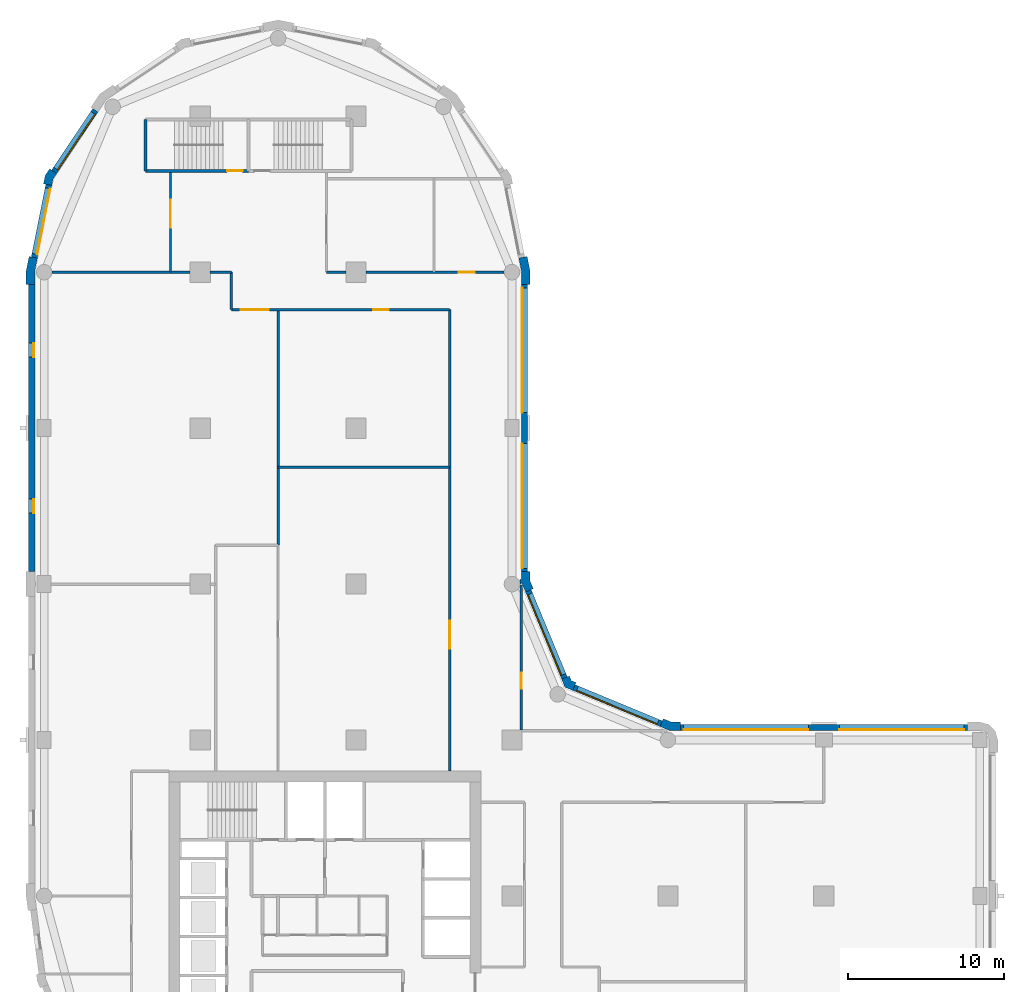
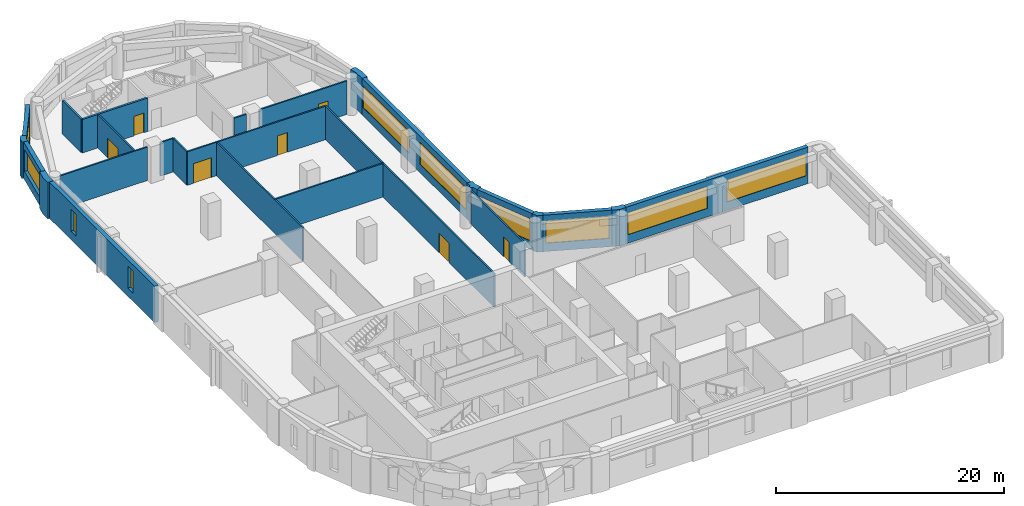
# One storey, part 5 of 9: 26 walls, 10 windows, 7 doors, 17 openings.
"""IFC4 building model written with IfcOpenShell, lengths in metres."""

from ifc_helpers import new_model, si_unit, direction, frame, frame_2d, origin, place, context, subcontext, project, spatial, polyline, rectangle, outline, extrude, material, layer, layer_set, type_object, element, fill, save


model = new_model("IFC4")

# Units and contexts
model_context = context("Model", 3, precision=1e-05, world=origin(), true_north=direction((0.0, 1.0)))
body_context = subcontext(model_context, "Body", "Model", "MODEL_VIEW")
ifc_project = project(units=[si_unit("LENGTHUNIT", "METRE"), si_unit("AREAUNIT", "SQUARE_METRE"), si_unit("VOLUMEUNIT", "CUBIC_METRE"), si_unit("PLANEANGLEUNIT", "RADIAN"), si_unit("MASSUNIT", "GRAM", prefix="KILO")], contexts=[model_context])

# Site, building, storey
site_placement = place(None, origin())
site = spatial("IfcSite", under=ifc_project, at=site_placement, CompositionType="ELEMENT")
building_placement = place(site_placement, origin())
building = spatial("IfcBuilding", under=site, at=building_placement, Name="Qaws Garden Tower", CompositionType="ELEMENT")
storey_placement = place(building_placement, frame((0.0, 0.0, 135.60009765625)))
storey = spatial("IfcBuildingStorey", under=building, at=storey_placement, Name="L32", CompositionType="ELEMENT", Elevation=135.60009765625)

# Wall, openings, windows
ifc_material_1 = material(Name="Clay facing brick masonry", Category="masonry")
ifc_layer_1 = layer(ifc_material_1, 0.39990234375)
ifc_layer_set_1 = layer_set([ifc_layer_1], Name="Clay facing brick masonry")
wall_type_1 = type_object("IfcWallType", Name="Brick infill wall 400", PredefinedType="SOLIDWALL", material=ifc_layer_set_1)
wall_1_placement = place(storey_placement, frame((59.199951171875, 30.800048828125, 0.0), z_axis=(0.0, 0.0, 1.0), x_axis=(-1.0, 0.0, 0.0)))
wall_1 = element("IfcWall", 1, at=wall_1_placement, inside=storey, type_object=wall_type_1, Name="E-L32-infill-07", PredefinedType="SOLIDWALL", context=body_context, shape_type="SweptSolid", body=[
    extrude(rectangle(XDim=18.39990234375, YDim=0.39990234375, at=frame_2d((9.199951171875, 0.0))), origin(), (0.0, 0.0, 1.0), 3.89990234375),
])
opening_1_placement = place(wall_1_placement, frame((0.199951171875, 0.0, 0.89990234375)))
opening_1 = element("IfcOpeningElement", 2, at=opening_1_placement, cuts=wall_1, Name="Opening W01", PredefinedType="OPENING", context=body_context, shape_type="SweptSolid", body=[
    extrude(rectangle(XDim=8.0, YDim=2.35009765625, at=frame_2d((4.0, 1.175048828125))), frame((0.0, 0.2099609375, 0.0), z_axis=(0.0, -1.0, 0.0), x_axis=(1.0, 0.0, 0.0)), (0.0, 0.0, 1.0), 0.419921875),
])
opening_2_placement = place(wall_1_placement, frame((10.199951171875, 0.0, 0.89990234375)))
opening_2 = element("IfcOpeningElement", 3, at=opening_2_placement, cuts=wall_1, Name="Opening W01", PredefinedType="OPENING", context=body_context, shape_type="SweptSolid", body=[
    extrude(rectangle(XDim=8.0, YDim=2.35009765625, at=frame_2d((4.0, 1.175048828125))), frame((0.0, 0.2099609375, 0.0), z_axis=(0.0, -1.0, 0.0), x_axis=(1.0, 0.0, 0.0)), (0.0, 0.0, 1.0), 0.419921875),
])
ifc_material_2 = material(Name="Aluminium framed window, clear glazing", Category="aluminium")
window_type_1 = type_object("IfcWindowType", Name="Ribbon window 8000 x 2350", PartitioningType="DOUBLE_PANEL_VERTICAL", PredefinedType="WINDOW", material=ifc_material_2)
window_1_placement = place(opening_1_placement, origin())
window_1 = element("IfcWindow", 4, at=window_1_placement, inside=storey, type_object=window_type_1, Name="E-L32-window-07-0", OverallHeight=2.35009765625, OverallWidth=8.0, PartitioningType="SINGLE_PANEL", PredefinedType="WINDOW", context=body_context, shape_type="SweptSolid", body=[
    extrude(rectangle(XDim=8.0, YDim=2.35009765625, at=frame_2d((4.0, 1.175048828125))), frame((0.0, 0.159912109375, 0.0), z_axis=(0.0, -1.0, 0.0), x_axis=(1.0, 0.0, 0.0)), (0.0, 0.0, 1.0), 0.06005859375),
])
fill(opening_1, window_1)
window_2_placement = place(opening_2_placement, origin())
window_2 = element("IfcWindow", 5, at=window_2_placement, inside=storey, type_object=window_type_1, Name="E-L32-window-08-0", OverallHeight=2.35009765625, OverallWidth=8.0, PartitioningType="SINGLE_PANEL", PredefinedType="WINDOW", context=body_context, shape_type="SweptSolid", body=[
    extrude(rectangle(XDim=8.0, YDim=2.35009765625, at=frame_2d((4.0, 1.175048828125))), frame((0.0, 0.159912109375, 0.0), z_axis=(0.0, -1.0, 0.0), x_axis=(1.0, 0.0, 0.0)), (0.0, 0.0, 1.0), 0.06005859375),
])
fill(opening_2, window_2)

# Wall, opening, window
wall_2_placement = place(storey_placement, frame((39.56689453125, 31.04541015625, 0.0), z_axis=(0.0, 0.0, 1.0), x_axis=(-0.923891000409, 0.382655745237, 0.0)))
wall_2 = element("IfcWall", 6, at=wall_2_placement, inside=storey, type_object=wall_type_1, Name="E-L32-infill-09", PredefinedType="SOLIDWALL", context=body_context, shape_type="SweptSolid", body=[
    extrude(rectangle(XDim=6.053466796875, YDim=0.39990234375, at=frame_2d((3.02685546875, 0.0))), origin(), (0.0, 0.0, 1.0), 3.89990234375),
])
opening_3_placement = place(wall_2_placement, frame((0.226806640625, 0.0, 0.89990234375)))
opening_3 = element("IfcOpeningElement", 7, at=opening_3_placement, cuts=wall_2, Name="Opening W04", PredefinedType="OPENING", context=body_context, shape_type="SweptSolid", body=[
    extrude(rectangle(XDim=5.60009765625, YDim=2.35009765625, at=frame_2d((2.800048828125, 1.175048828125))), frame((0.0, 0.2099609375, 0.0), z_axis=(0.0, -1.0, 0.0), x_axis=(1.0, 0.0, 0.0)), (0.0, 0.0, 1.0), 0.419921875),
])
ifc_material_3 = material(Name="Aluminium framed window, clear glazing", Category="aluminium")
window_type_2 = type_object("IfcWindowType", Name="Ribbon window 5600 x 2350", PartitioningType="DOUBLE_PANEL_VERTICAL", PredefinedType="WINDOW", material=ifc_material_3)
window_3_placement = place(opening_3_placement, origin())
window_3 = element("IfcWindow", 8, at=window_3_placement, inside=storey, type_object=window_type_2, Name="E-L32-window-09-0", OverallHeight=2.35009765625, OverallWidth=5.60009765625, PartitioningType="SINGLE_PANEL", PredefinedType="WINDOW", context=body_context, shape_type="SweptSolid", body=[
    extrude(rectangle(XDim=5.60009765625, YDim=2.35009765625, at=frame_2d((2.800048828125, 1.175048828125))), frame((0.0, 0.159912109375, 0.0), z_axis=(0.0, -1.0, 0.0), x_axis=(1.0, 0.0, 0.0)), (0.0, 0.0, 1.0), 0.06005859375),
])
fill(opening_3, window_3)

wall_3_placement = place(storey_placement, frame((33.36181640625, 33.97412109375, 0.0), z_axis=(0.0, 0.0, 1.0), x_axis=(-0.382655745237, 0.923891000409, 0.0)))
wall_3 = element("IfcWall", 9, at=wall_3_placement, inside=storey, type_object=wall_type_1, Name="E-L32-infill-10", PredefinedType="SOLIDWALL", context=body_context, shape_type="SweptSolid", body=[
    extrude(rectangle(XDim=6.053466796875, YDim=0.39990234375, at=frame_2d((3.02685546875, 0.0))), origin(), (0.0, 0.0, 1.0), 3.89990234375),
])
opening_4_placement = place(wall_3_placement, frame((0.226806640625, 0.0, 0.89990234375)))
opening_4 = element("IfcOpeningElement", 10, at=opening_4_placement, cuts=wall_3, Name="Opening W04", PredefinedType="OPENING", context=body_context, shape_type="SweptSolid", body=[
    extrude(rectangle(XDim=5.60009765625, YDim=2.35009765625, at=frame_2d((2.800048828125, 1.175048828125))), frame((0.0, 0.2099609375, 0.0), z_axis=(0.0, -1.0, 0.0), x_axis=(1.0, 0.0, 0.0)), (0.0, 0.0, 1.0), 0.419921875),
])
window_4_placement = place(opening_4_placement, origin())
window_4 = element("IfcWindow", 11, at=window_4_placement, inside=storey, type_object=window_type_2, Name="E-L32-window-10-0", OverallHeight=2.35009765625, OverallWidth=5.60009765625, PartitioningType="SINGLE_PANEL", PredefinedType="WINDOW", context=body_context, shape_type="SweptSolid", body=[
    extrude(rectangle(XDim=5.60009765625, YDim=2.35009765625, at=frame_2d((2.800048828125, 1.175048828125))), frame((0.0, 0.159912109375, 0.0), z_axis=(0.0, -1.0, 0.0), x_axis=(1.0, 0.0, 0.0)), (0.0, 0.0, 1.0), 0.06005859375),
])
fill(opening_4, window_4)

# Wall, openings, windows
wall_4_placement = place(storey_placement, frame((30.800048828125, 40.800048828125, 0.0), z_axis=(0.0, 0.0, 1.0), x_axis=(0.0, 1.0, 0.0)))
wall_4 = element("IfcWall", 12, at=wall_4_placement, inside=storey, type_object=wall_type_1, Name="E-L32-infill-11", PredefinedType="SOLIDWALL", context=body_context, shape_type="SweptSolid", body=[
    extrude(rectangle(XDim=18.39990234375, YDim=0.39990234375, at=frame_2d((9.199951171875, 0.0))), origin(), (0.0, 0.0, 1.0), 3.89990234375),
])
opening_5_placement = place(wall_4_placement, frame((0.199951171875, 0.0, 0.89990234375)))
opening_5 = element("IfcOpeningElement", 13, at=opening_5_placement, cuts=wall_4, Name="Opening W01", PredefinedType="OPENING", context=body_context, shape_type="SweptSolid", body=[
    extrude(rectangle(XDim=8.0, YDim=2.35009765625, at=frame_2d((4.0, 1.175048828125))), frame((0.0, 0.2099609375, 0.0), z_axis=(0.0, -1.0, 0.0), x_axis=(1.0, 0.0, 0.0)), (0.0, 0.0, 1.0), 0.419921875),
])
opening_6_placement = place(wall_4_placement, frame((10.199951171875, 0.0, 0.89990234375)))
opening_6 = element("IfcOpeningElement", 14, at=opening_6_placement, cuts=wall_4, Name="Opening W01", PredefinedType="OPENING", context=body_context, shape_type="SweptSolid", body=[
    extrude(rectangle(XDim=8.0, YDim=2.35009765625, at=frame_2d((4.0, 1.175048828125))), frame((0.0, 0.2099609375, 0.0), z_axis=(0.0, -1.0, 0.0), x_axis=(1.0, 0.0, 0.0)), (0.0, 0.0, 1.0), 0.419921875),
])
window_5_placement = place(opening_5_placement, origin())
window_5 = element("IfcWindow", 15, at=window_5_placement, inside=storey, type_object=window_type_1, Name="E-L32-window-11-0", OverallHeight=2.35009765625, OverallWidth=8.0, PartitioningType="SINGLE_PANEL", PredefinedType="WINDOW", context=body_context, shape_type="SweptSolid", body=[
    extrude(rectangle(XDim=8.0, YDim=2.35009765625, at=frame_2d((4.0, 1.175048828125))), frame((0.0, 0.159912109375, 0.0), z_axis=(0.0, -1.0, 0.0), x_axis=(1.0, 0.0, 0.0)), (0.0, 0.0, 1.0), 0.06005859375),
])
fill(opening_5, window_5)
window_6_placement = place(opening_6_placement, origin())
window_6 = element("IfcWindow", 16, at=window_6_placement, inside=storey, type_object=window_type_1, Name="E-L32-window-12-0", OverallHeight=2.35009765625, OverallWidth=8.0, PartitioningType="SINGLE_PANEL", PredefinedType="WINDOW", context=body_context, shape_type="SweptSolid", body=[
    extrude(rectangle(XDim=8.0, YDim=2.35009765625, at=frame_2d((4.0, 1.175048828125))), frame((0.0, 0.159912109375, 0.0), z_axis=(0.0, -1.0, 0.0), x_axis=(1.0, 0.0, 0.0)), (0.0, 0.0, 1.0), 0.06005859375),
])
fill(opening_6, window_6)

# Wall, opening, window
wall_5_placement = place(storey_placement, frame((3.28369140625, 70.385986328125, 0.0), z_axis=(0.0, 0.0, 1.0), x_axis=(-0.555541552266, -0.831488775454, 0.0)))
wall_5 = element("IfcWall", 17, at=wall_5_placement, inside=storey, type_object=wall_type_1, Name="E-L32-infill-19", PredefinedType="SOLIDWALL", context=body_context, shape_type="SweptSolid", body=[
    extrude(rectangle(XDim=4.752685546875, YDim=0.39990234375, at=frame_2d((2.37646484375, 0.0))), origin(), (0.0, 0.0, 1.0), 3.89990234375),
])
opening_7_placement = place(wall_5_placement, frame((0.226318359375, 0.0, 0.89990234375)))
opening_7 = element("IfcOpeningElement", 18, at=opening_7_placement, cuts=wall_5, Name="Opening W06", PredefinedType="OPENING", context=body_context, shape_type="SweptSolid", body=[
    extrude(rectangle(XDim=4.300048828125, YDim=2.35009765625, at=frame_2d((2.14990234375, 1.175048828125))), frame((0.0, 0.2099609375, 0.0), z_axis=(0.0, -1.0, 0.0), x_axis=(1.0, 0.0, 0.0)), (0.0, 0.0, 1.0), 0.419921875),
])
ifc_material_4 = material(Name="Aluminium framed window, clear glazing", Category="aluminium")
window_type_3 = type_object("IfcWindowType", Name="Ribbon window 4300 x 2350", PartitioningType="DOUBLE_PANEL_VERTICAL", PredefinedType="WINDOW", material=ifc_material_4)
window_7_placement = place(opening_7_placement, origin())
window_7 = element("IfcWindow", 19, at=window_7_placement, inside=storey, type_object=window_type_3, Name="E-L32-window-19-0", OverallHeight=2.35009765625, OverallWidth=4.300048828125, PartitioningType="SINGLE_PANEL", PredefinedType="WINDOW", context=body_context, shape_type="SweptSolid", body=[
    extrude(rectangle(XDim=4.300048828125, YDim=2.35009765625, at=frame_2d((2.14990234375, 1.175048828125))), frame((0.0, 0.159912109375, 0.0), z_axis=(0.0, -1.0, 0.0), x_axis=(1.0, 0.0, 0.0)), (0.0, 0.0, 1.0), 0.06005859375),
])
fill(opening_7, window_7)

wall_6_placement = place(storey_placement, frame((0.298583984375, 65.60205078125, 0.0), z_axis=(0.0, 0.0, 1.0), x_axis=(-0.195098533057, -0.98078364709, 0.0)))
wall_6 = element("IfcWall", 20, at=wall_6_placement, inside=storey, type_object=wall_type_1, Name="E-L32-infill-20", PredefinedType="SOLIDWALL", context=body_context, shape_type="SweptSolid", body=[
    extrude(rectangle(XDim=4.752685546875, YDim=0.39990234375, at=frame_2d((2.37646484375, 0.0))), origin(), (0.0, 0.0, 1.0), 3.89990234375),
])
opening_8_placement = place(wall_6_placement, frame((0.226318359375, 0.0, 0.89990234375)))
opening_8 = element("IfcOpeningElement", 21, at=opening_8_placement, cuts=wall_6, Name="Opening W06", PredefinedType="OPENING", context=body_context, shape_type="SweptSolid", body=[
    extrude(rectangle(XDim=4.300048828125, YDim=2.35009765625, at=frame_2d((2.14990234375, 1.175048828125))), frame((0.0, 0.2099609375, 0.0), z_axis=(0.0, -1.0, 0.0), x_axis=(1.0, 0.0, 0.0)), (0.0, 0.0, 1.0), 0.419921875),
])
window_8_placement = place(opening_8_placement, origin())
window_8 = element("IfcWindow", 22, at=window_8_placement, inside=storey, type_object=window_type_3, Name="E-L32-window-20-0", OverallHeight=2.35009765625, OverallWidth=4.300048828125, PartitioningType="SINGLE_PANEL", PredefinedType="WINDOW", context=body_context, shape_type="SweptSolid", body=[
    extrude(rectangle(XDim=4.300048828125, YDim=2.35009765625, at=frame_2d((2.14990234375, 1.175048828125))), frame((0.0, 0.159912109375, 0.0), z_axis=(0.0, -1.0, 0.0), x_axis=(1.0, 0.0, 0.0)), (0.0, 0.0, 1.0), 0.06005859375),
])
fill(opening_8, window_8)

# Wall, openings, windows
wall_7_placement = place(storey_placement, frame((-0.800048828125, 59.199951171875, 0.0), z_axis=(0.0, 0.0, 1.0), x_axis=(0.0, -1.0, 0.0)))
wall_7 = element("IfcWall", 23, at=wall_7_placement, inside=storey, type_object=wall_type_1, Name="E-L32-infill-21", PredefinedType="SOLIDWALL", context=body_context, shape_type="SweptSolid", body=[
    extrude(rectangle(XDim=18.39990234375, YDim=0.39990234375, at=frame_2d((9.199951171875, 0.0))), origin(), (0.0, 0.0, 1.0), 3.89990234375),
])
opening_9_placement = place(wall_7_placement, frame((3.75, 0.0, 0.89990234375)))
opening_9 = element("IfcOpeningElement", 24, at=opening_9_placement, cuts=wall_7, Name="Opening W09", PredefinedType="OPENING", context=body_context, shape_type="SweptSolid", body=[
    extrude(rectangle(XDim=0.89990234375, YDim=2.35009765625, at=frame_2d((0.449951171875, 1.175048828125))), frame((0.0, 0.2099609375, 0.0), z_axis=(0.0, -1.0, 0.0), x_axis=(1.0, 0.0, 0.0)), (0.0, 0.0, 1.0), 0.419921875),
])
opening_10_placement = place(wall_7_placement, frame((13.75, 0.0, 0.89990234375)))
opening_10 = element("IfcOpeningElement", 25, at=opening_10_placement, cuts=wall_7, Name="Opening W09", PredefinedType="OPENING", context=body_context, shape_type="SweptSolid", body=[
    extrude(rectangle(XDim=0.89990234375, YDim=2.35009765625, at=frame_2d((0.449951171875, 1.175048828125))), frame((0.0, 0.2099609375, 0.0), z_axis=(0.0, -1.0, 0.0), x_axis=(1.0, 0.0, 0.0)), (0.0, 0.0, 1.0), 0.419921875),
])
ifc_material_5 = material(Name="Aluminium framed window, clear glazing", Category="aluminium")
window_type_4 = type_object("IfcWindowType", Name="Slit window 900 x 2350", PartitioningType="SINGLE_PANEL", PredefinedType="WINDOW", material=ifc_material_5)
window_9_placement = place(opening_9_placement, origin())
window_9 = element("IfcWindow", 26, at=window_9_placement, inside=storey, type_object=window_type_4, Name="E-L32-window-21-0", OverallHeight=2.35009765625, OverallWidth=0.89990234375, PartitioningType="SINGLE_PANEL", PredefinedType="WINDOW", context=body_context, shape_type="SweptSolid", body=[
    extrude(rectangle(XDim=0.89990234375, YDim=2.35009765625, at=frame_2d((0.449951171875, 1.175048828125))), frame((0.0, 0.159912109375, 0.0), z_axis=(0.0, -1.0, 0.0), x_axis=(1.0, 0.0, 0.0)), (0.0, 0.0, 1.0), 0.06005859375),
])
fill(opening_9, window_9)
window_10_placement = place(opening_10_placement, origin())
window_10 = element("IfcWindow", 27, at=window_10_placement, inside=storey, type_object=window_type_4, Name="E-L32-window-22-0", OverallHeight=2.35009765625, OverallWidth=0.89990234375, PartitioningType="SINGLE_PANEL", PredefinedType="WINDOW", context=body_context, shape_type="SweptSolid", body=[
    extrude(rectangle(XDim=0.89990234375, YDim=2.35009765625, at=frame_2d((0.449951171875, 1.175048828125))), frame((0.0, 0.159912109375, 0.0), z_axis=(0.0, -1.0, 0.0), x_axis=(1.0, 0.0, 0.0)), (0.0, 0.0, 1.0), 0.06005859375),
])
fill(opening_10, window_10)

# Walls
ifc_material_6 = material(Name="Clay facing brick masonry", Category="masonry")
ifc_layer_2 = layer(ifc_material_6, 0.550048828125)
ifc_layer_set_2 = layer_set([ifc_layer_2], Name="Clay facing brick masonry")
wall_type_2 = type_object("IfcWallType", Name="Brick kink pier 550 x 600", PredefinedType="SOLIDWALL", material=ifc_layer_set_2)
placement = place(storey_placement, origin())
element("IfcWall", 28, at=placement, inside=storey, type_object=wall_type_2, Name="E-L32-pier-20", PredefinedType="SOLIDWALL", context=body_context, shape_type="SweptSolid", body=[
    extrude(outline(polyline([(0.47705078125, 66.545166015625), (0.352294921875, 66.628662109375), (0.05859375, 66.18896484375), (-0.044677734375, 65.67041015625), (0.1025390625, 65.64111328125), (0.494873046875, 65.56298828125), (0.57666015625, 65.974365234375), (0.8095703125, 66.322998046875), (0.47705078125, 66.545166015625)])), origin(), (0.0, 0.0, 1.0), 3.89990234375),
])
ifc_material_7 = material(Name="Clay facing brick masonry", Category="masonry")
ifc_layer_3 = layer(ifc_material_7, 0.550048828125)
ifc_layer_set_3 = layer_set([ifc_layer_3], Name="Clay facing brick masonry")
wall_type_3 = type_object("IfcWallType", Name="Brick pier 550 x 1600", PredefinedType="SOLIDWALL", material=ifc_layer_set_3)
element("IfcWall", 29, at=placement, inside=storey, type_object=wall_type_3, Name="E-L32-pier-09", PredefinedType="SOLIDWALL", context=body_context, shape_type="SweptSolid", body=[
    extrude(outline(polyline([(40.800048828125, 31.0), (40.800048828125, 31.14990234375), (40.228759765625, 31.14990234375), (39.700927734375, 31.36865234375), (39.6435546875, 31.22998046875), (39.490478515625, 30.860595703125), (40.119384765625, 30.60009765625), (40.800048828125, 30.60009765625), (40.800048828125, 31.0)])), origin(), (0.0, 0.0, 1.0), 3.89990234375),
])
element("IfcWall", 30, at=placement, inside=storey, type_object=wall_type_3, Name="E-L32-pier-10", PredefinedType="SOLIDWALL", context=body_context, shape_type="SweptSolid", body=[
    extrude(outline(polyline([(34.05078125, 33.546630859375), (34.108154296875, 33.685302734375), (33.80908203125, 33.80908203125), (33.685302734375, 34.108154296875), (33.546630859375, 34.05078125), (33.177001953125, 33.897705078125), (33.38818359375, 33.38818359375), (33.897705078125, 33.177001953125), (34.05078125, 33.546630859375)])), origin(), (0.0, 0.0, 1.0), 3.89990234375),
])
element("IfcWall", 31, at=placement, inside=storey, type_object=wall_type_3, Name="E-L32-pier-11", PredefinedType="SOLIDWALL", context=body_context, shape_type="SweptSolid", body=[
    extrude(outline(polyline([(30.6201171875, 39.995361328125), (30.6201171875, 40.071044921875), (30.860595703125, 39.490478515625), (31.22998046875, 39.6435546875), (31.36865234375, 39.700927734375), (31.14990234375, 40.228759765625), (31.14990234375, 40.800048828125), (31.0, 40.800048828125), (30.60009765625, 40.800048828125), (30.60009765625, 40.29541015625), (30.5, 40.29541015625), (30.5, 39.995361328125), (30.6201171875, 39.995361328125)])), origin(), (0.0, 0.0, 1.0), 3.89990234375),
])
element("IfcWall", 32, at=placement, inside=storey, type_object=wall_type_3, Name="E-L32-pier-13", PredefinedType="SOLIDWALL", context=body_context, shape_type="SweptSolid", body=[
    extrude(outline(polyline([(31.0, 59.199951171875), (31.14990234375, 59.199951171875), (31.14990234375, 60.11328125), (30.971923828125, 61.009033203125), (30.82470703125, 60.979736328125), (30.432373046875, 60.901611328125), (30.60009765625, 60.05908203125), (30.60009765625, 59.199951171875), (31.0, 59.199951171875)])), origin(), (0.0, 0.0, 1.0), 3.89990234375),
])
element("IfcWall", 33, at=placement, inside=storey, type_object=wall_type_3, Name="E-L32-pier-21", PredefinedType="SOLIDWALL", context=body_context, shape_type="SweptSolid", body=[
    extrude(outline(polyline([(-0.82470703125, 60.979736328125), (-0.971923828125, 61.009033203125), (-1.14990234375, 60.11328125), (-1.14990234375, 59.199951171875), (-1.0, 59.199951171875), (-0.60009765625, 59.199951171875), (-0.60009765625, 60.05908203125), (-0.432373046875, 60.901611328125), (-0.82470703125, 60.979736328125)])), origin(), (0.0, 0.0, 1.0), 3.89990234375),
])

# Wall, opening, door
ifc_material_8 = material(Name="Concrete C70", Category="concrete")
ifc_layer_4 = layer(ifc_material_8, 0.199951171875)
ifc_layer_set_4 = layer_set([ifc_layer_4], Name="Concrete C70")
wall_type_4 = type_object("IfcWallType", Name="Core shaft wall 200 C70", PredefinedType="SHEAR", material=ifc_layer_set_4)
wall_14_placement = place(storey_placement, frame((6.5, 66.5, 0.0), z_axis=(0.0, 0.0, 1.0), x_axis=(1.0, 0.0, 0.0)))
wall_14 = element("IfcWall", 34, at=wall_14_placement, inside=storey, type_object=wall_type_4, Name="Shaft wall", PredefinedType="SHEAR", context=body_context, shape_type="SweptSolid", body=[
    extrude(rectangle(XDim=6.60009765625, YDim=0.199951171875, at=frame_2d((3.300048828125, 0.0))), origin(), (0.0, 0.0, 1.0), 3.579833984375),
])
opening_11_placement = place(wall_14_placement, frame((5.22509765625, 0.0, 0.0)))
opening_11 = element("IfcOpeningElement", 35, at=opening_11_placement, cuts=wall_14, Name="Opening SD13", PredefinedType="OPENING", context=body_context, shape_type="SweptSolid", body=[
    extrude(rectangle(XDim=1.0, YDim=2.10009765625, at=frame_2d((0.5, 1.050048828125))), frame((0.0, 0.10986328125, 0.0), z_axis=(0.0, -1.0, 0.0), x_axis=(1.0, 0.0, 0.0)), (0.0, 0.0, 1.0), 0.219970703125),
])
ifc_material_9 = material(Name="Steel S235", Category="steel")
door_type_1 = type_object("IfcDoorType", Name="Stair door 1000x2100", OperationType="SINGLE_SWING_RIGHT", PredefinedType="DOOR", material=ifc_material_9)
door_1_placement = place(opening_11_placement, origin())
door_1 = element("IfcDoor", 36, at=door_1_placement, inside=storey, type_object=door_type_1, Name="Stair 6 door", OperationType="SINGLE_SWING_RIGHT", OverallHeight=2.10009765625, OverallWidth=1.0, PredefinedType="DOOR", context=body_context, shape_type="SweptSolid", body=[
    extrude(rectangle(XDim=1.0, YDim=2.10009765625, at=frame_2d((0.5, 1.050048828125))), frame((0.0, 0.02490234375, 0.0), z_axis=(0.0, -1.0, 0.0), x_axis=(1.0, 0.0, 0.0)), (0.0, 0.0, 1.0), 0.050048828125),
])
fill(opening_11, door_1)

# Wall
wall_15_placement = place(storey_placement, frame((6.5, 66.5, 0.0), z_axis=(0.0, 0.0, 1.0), x_axis=(0.0, 1.0, 0.0)))
element("IfcWall", 37, at=wall_15_placement, inside=storey, type_object=wall_type_4, Name="Shaft wall", PredefinedType="SHEAR", context=body_context, shape_type="SweptSolid", body=[
    extrude(rectangle(XDim=3.300048828125, YDim=0.199951171875, at=frame_2d((1.64990234375, 0.0))), origin(), (0.0, 0.0, 1.0), 3.579833984375),
])

# Wall, opening, door
ifc_material_10 = material(Name="Gypsum board partition")
ifc_layer_5 = layer(ifc_material_10, 0.14990234375)
ifc_layer_set_5 = layer_set([ifc_layer_5], Name="Gypsum board partition")
wall_type_5 = type_object("IfcWallType", Name="PARTITION 150 EI 60", PredefinedType="PARTITIONING", material=ifc_layer_set_5)
wall_16_placement = place(storey_placement, frame((8.10009765625, 60.0, 0.0), z_axis=(0.0, 0.0, 1.0), x_axis=(0.0, 1.0, 0.0)))
wall_16 = element("IfcWall", 38, at=wall_16_placement, inside=storey, type_object=wall_type_5, Name="O-L32-wall-005", PredefinedType="PARTITIONING", context=body_context, shape_type="SweptSolid", body=[
    extrude(rectangle(XDim=6.39990234375, YDim=0.14990234375, at=frame_2d((3.199951171875, 0.0))), origin(), (0.0, 0.0, 1.0), 3.579833984375),
])
opening_12_placement = place(wall_16_placement, frame((2.85009765625, 0.0, 0.0)))
opening_12 = element("IfcOpeningElement", 39, at=opening_12_placement, cuts=wall_16, Name="Opening B107", PredefinedType="OPENING", context=body_context, shape_type="SweptSolid", body=[
    extrude(rectangle(XDim=1.800048828125, YDim=2.10009765625, at=frame_2d((0.89990234375, 1.050048828125))), frame((0.0, 0.0849609375, 0.0), z_axis=(0.0, -1.0, 0.0), x_axis=(1.0, 0.0, 0.0)), (0.0, 0.0, 1.0), 0.169921875),
])
ifc_material_11 = material(Name="Timber door leaf", Category="wood")
door_type_2 = type_object("IfcDoorType", Name="DOUBLE DOOR 1800 X 2100", OperationType="DOUBLE_DOOR_SINGLE_SWING", PredefinedType="DOOR", material=ifc_material_11)
door_2_placement = place(opening_12_placement, origin())
door_2 = element("IfcDoor", 40, at=door_2_placement, inside=storey, type_object=door_type_2, Name="O-L32-door-007", OperationType="DOUBLE_DOOR_SINGLE_SWING", OverallHeight=2.10009765625, OverallWidth=1.800048828125, PredefinedType="DOOR", context=body_context, shape_type="SweptSolid", body=[
    extrude(rectangle(XDim=1.800048828125, YDim=2.10009765625, at=frame_2d((0.89990234375, 1.050048828125))), frame((0.0, 0.02490234375, 0.0), z_axis=(0.0, -1.0, 0.0), x_axis=(1.0, 0.0, 0.0)), (0.0, 0.0, 1.0), 0.050048828125),
])
fill(opening_12, door_2)

# Walls
wall_17_placement = place(storey_placement, frame((12.0, 57.60009765625, 0.0), z_axis=(0.0, 0.0, 1.0), x_axis=(0.0, 1.0, 0.0)))
element("IfcWall", 41, at=wall_17_placement, inside=storey, type_object=wall_type_5, Name="O-L32-wall-007", PredefinedType="PARTITIONING", context=body_context, shape_type="SweptSolid", body=[
    extrude(rectangle(XDim=2.39990234375, YDim=0.14990234375, at=frame_2d((1.199951171875, 0.0))), origin(), (0.0, 0.0, 1.0), 3.579833984375),
])
wall_18_placement = place(storey_placement, frame((15.0, 42.5, 0.0), z_axis=(0.0, 0.0, 1.0), x_axis=(0.0, 1.0, 0.0)))
element("IfcWall", 42, at=wall_18_placement, inside=storey, type_object=wall_type_5, Name="O-L32-wall-009", PredefinedType="PARTITIONING", context=body_context, shape_type="SweptSolid", body=[
    extrude(rectangle(XDim=15.10009765625, YDim=0.14990234375, at=frame_2d((7.550048828125, 0.0))), origin(), (0.0, 0.0, 1.0), 3.579833984375),
])

# Wall, opening, door
wall_19_placement = place(storey_placement, frame((26.0, 28.0, 0.0), z_axis=(0.0, 0.0, 1.0), x_axis=(0.0, 1.0, 0.0)))
wall_19 = element("IfcWall", 43, at=wall_19_placement, inside=storey, type_object=wall_type_5, Name="O-L32-wall-013", PredefinedType="PARTITIONING", context=body_context, shape_type="SweptSolid", body=[
    extrude(rectangle(XDim=29.60009765625, YDim=0.14990234375, at=frame_2d((14.800048828125, 0.0))), origin(), (0.0, 0.0, 1.0), 3.579833984375),
])
opening_13_placement = place(wall_19_placement, frame((7.85009765625, 0.0, 0.0)))
opening_13 = element("IfcOpeningElement", 44, at=opening_13_placement, cuts=wall_19, Name="Opening B103", PredefinedType="OPENING", context=body_context, shape_type="SweptSolid", body=[
    extrude(rectangle(XDim=1.800048828125, YDim=2.10009765625, at=frame_2d((0.89990234375, 1.050048828125))), frame((0.0, 0.0849609375, 0.0), z_axis=(0.0, -1.0, 0.0), x_axis=(1.0, 0.0, 0.0)), (0.0, 0.0, 1.0), 0.169921875),
])
door_3_placement = place(opening_13_placement, origin())
door_3 = element("IfcDoor", 45, at=door_3_placement, inside=storey, type_object=door_type_2, Name="O-L32-door-003", OperationType="DOUBLE_DOOR_SINGLE_SWING", OverallHeight=2.10009765625, OverallWidth=1.800048828125, PredefinedType="DOOR", context=body_context, shape_type="SweptSolid", body=[
    extrude(rectangle(XDim=1.800048828125, YDim=2.10009765625, at=frame_2d((0.89990234375, 1.050048828125))), frame((0.0, 0.02490234375, 0.0), z_axis=(0.0, -1.0, 0.0), x_axis=(1.0, 0.0, 0.0)), (0.0, 0.0, 1.0), 0.050048828125),
])
fill(opening_13, door_3)

wall_20_placement = place(storey_placement, frame((30.60009765625, 30.64990234375, 0.0), z_axis=(0.0, 0.0, 1.0), x_axis=(0.0, 1.0, 0.0)))
wall_20 = element("IfcWall", 46, at=wall_20_placement, inside=storey, type_object=wall_type_5, Name="O-L32-wall-014", PredefinedType="PARTITIONING", context=body_context, shape_type="SweptSolid", body=[
    extrude(rectangle(XDim=9.288330078125, YDim=0.14990234375, at=frame_2d((4.64404296875, 0.0))), origin(), (0.0, 0.0, 1.0), 3.579833984375),
])
opening_14_placement = place(wall_20_placement, frame((2.64990234375, 0.0, 0.0)))
opening_14 = element("IfcOpeningElement", 47, at=opening_14_placement, cuts=wall_20, Name="Opening B110", PredefinedType="OPENING", context=body_context, shape_type="SweptSolid", body=[
    extrude(rectangle(XDim=1.0, YDim=2.10009765625, at=frame_2d((0.5, 1.050048828125))), frame((0.0, 0.0849609375, 0.0), z_axis=(0.0, -1.0, 0.0), x_axis=(1.0, 0.0, 0.0)), (0.0, 0.0, 1.0), 0.169921875),
])
ifc_material_12 = material(Name="Timber door leaf", Category="wood")
door_type_3 = type_object("IfcDoorType", Name="TENANCY ENTRANCE DOOR 1000 X 2100", OperationType="SINGLE_SWING_LEFT", PredefinedType="DOOR", material=ifc_material_12)
door_4_placement = place(opening_14_placement, frame((1.0, 0.0, 0.0), z_axis=(0.0, 0.0, 1.0), x_axis=(-1.0, 0.0, 0.0)))
door_4 = element("IfcDoor", 48, at=door_4_placement, inside=storey, type_object=door_type_3, Name="O-L32-door-010", OperationType="SINGLE_SWING_LEFT", OverallHeight=2.10009765625, OverallWidth=1.0, PredefinedType="DOOR", context=body_context, shape_type="SweptSolid", body=[
    extrude(rectangle(XDim=1.0, YDim=2.10009765625, at=frame_2d((0.5, 1.050048828125))), frame((0.0, 0.02490234375, 0.0), z_axis=(0.0, -1.0, 0.0), x_axis=(1.0, 0.0, 0.0)), (0.0, 0.0, 1.0), 0.050048828125),
])
fill(opening_14, door_4)

# Wall
wall_21_placement = place(storey_placement, frame((15.0, 47.5, 0.0), z_axis=(0.0, 0.0, 1.0), x_axis=(1.0, 0.0, 0.0)))
element("IfcWall", 49, at=wall_21_placement, inside=storey, type_object=wall_type_5, Name="O-L32-wall-043", PredefinedType="PARTITIONING", context=body_context, shape_type="SweptSolid", body=[
    extrude(rectangle(XDim=11.0, YDim=0.14990234375, at=frame_2d((5.5, 0.0))), origin(), (0.0, 0.0, 1.0), 3.579833984375),
])

# Wall, openings, doors
wall_22_placement = place(storey_placement, frame((12.0, 57.60009765625, 0.0), z_axis=(0.0, 0.0, 1.0), x_axis=(1.0, 0.0, 0.0)))
wall_22 = element("IfcWall", 50, at=wall_22_placement, inside=storey, type_object=wall_type_5, Name="O-L32-wall-044", PredefinedType="PARTITIONING", context=body_context, shape_type="SweptSolid", body=[
    extrude(rectangle(XDim=14.0, YDim=0.14990234375, at=frame_2d((7.0, 0.0))), origin(), (0.0, 0.0, 1.0), 3.579833984375),
])
opening_15_placement = place(wall_22_placement, frame((9.10009765625, 0.0, 0.0)))
opening_15 = element("IfcOpeningElement", 51, at=opening_15_placement, cuts=wall_22, Name="Opening B104", PredefinedType="OPENING", context=body_context, shape_type="SweptSolid", body=[
    extrude(rectangle(XDim=1.0, YDim=2.10009765625, at=frame_2d((0.5, 1.050048828125))), frame((0.0, 0.0849609375, 0.0), z_axis=(0.0, -1.0, 0.0), x_axis=(1.0, 0.0, 0.0)), (0.0, 0.0, 1.0), 0.169921875),
])
opening_16_placement = place(wall_22_placement, frame((0.60009765625, 0.0, 0.0)))
opening_16 = element("IfcOpeningElement", 52, at=opening_16_placement, cuts=wall_22, Name="Opening B105", PredefinedType="OPENING", context=body_context, shape_type="SweptSolid", body=[
    extrude(rectangle(XDim=1.800048828125, YDim=2.10009765625, at=frame_2d((0.89990234375, 1.050048828125))), frame((0.0, 0.0849609375, 0.0), z_axis=(0.0, -1.0, 0.0), x_axis=(1.0, 0.0, 0.0)), (0.0, 0.0, 1.0), 0.169921875),
])
door_5_placement = place(opening_16_placement, frame((1.800048828125, 0.0, 0.0), z_axis=(0.0, 0.0, 1.0), x_axis=(-1.0, 0.0, 0.0)))
door_5 = element("IfcDoor", 53, at=door_5_placement, inside=storey, type_object=door_type_2, Name="O-L32-door-005", OperationType="DOUBLE_DOOR_SINGLE_SWING", OverallHeight=2.10009765625, OverallWidth=1.800048828125, PredefinedType="DOOR", context=body_context, shape_type="SweptSolid", body=[
    extrude(rectangle(XDim=1.800048828125, YDim=2.10009765625, at=frame_2d((0.89990234375, 1.050048828125))), frame((0.0, 0.02490234375, 0.0), z_axis=(0.0, -1.0, 0.0), x_axis=(1.0, 0.0, 0.0)), (0.0, 0.0, 1.0), 0.050048828125),
])
fill(opening_16, door_5)
door_6_placement = place(opening_15_placement, frame((1.0, 0.0, 0.0), z_axis=(0.0, 0.0, 1.0), x_axis=(-1.0, 0.0, 0.0)))
door_6 = element("IfcDoor", 54, at=door_6_placement, inside=storey, type_object=door_type_3, Name="O-L32-door-004", OperationType="SINGLE_SWING_LEFT", OverallHeight=2.10009765625, OverallWidth=1.0, PredefinedType="DOOR", context=body_context, shape_type="SweptSolid", body=[
    extrude(rectangle(XDim=1.0, YDim=2.10009765625, at=frame_2d((0.5, 1.050048828125))), frame((0.0, 0.02490234375, 0.0), z_axis=(0.0, -1.0, 0.0), x_axis=(1.0, 0.0, 0.0)), (0.0, 0.0, 1.0), 0.050048828125),
])
fill(opening_15, door_6)

# Walls
wall_23_placement = place(storey_placement, frame((0.5, 60.0, 0.0), z_axis=(0.0, 0.0, 1.0), x_axis=(1.0, 0.0, 0.0)))
element("IfcWall", 55, at=wall_23_placement, inside=storey, type_object=wall_type_5, Name="O-L32-wall-045", PredefinedType="PARTITIONING", context=body_context, shape_type="SweptSolid", body=[
    extrude(rectangle(XDim=8.85009765625, YDim=0.14990234375, at=frame_2d((4.425048828125, 0.0))), origin(), (0.0, 0.0, 1.0), 3.579833984375),
])
wall_24_placement = place(storey_placement, frame((10.64990234375, 60.0, 0.0), z_axis=(0.0, 0.0, 1.0), x_axis=(1.0, 0.0, 0.0)))
element("IfcWall", 56, at=wall_24_placement, inside=storey, type_object=wall_type_5, Name="O-L32-wall-046", PredefinedType="PARTITIONING", context=body_context, shape_type="SweptSolid", body=[
    extrude(rectangle(XDim=1.35009765625, YDim=0.14990234375, at=frame_2d((0.675048828125, 0.0))), origin(), (0.0, 0.0, 1.0), 3.579833984375),
])
wall_25_placement = place(storey_placement, frame((18.10009765625, 60.0, 0.0), z_axis=(0.0, 0.0, 1.0), x_axis=(1.0, 0.0, 0.0)))
element("IfcWall", 57, at=wall_25_placement, inside=storey, type_object=wall_type_5, Name="O-L32-wall-047", PredefinedType="PARTITIONING", context=body_context, shape_type="SweptSolid", body=[
    extrude(rectangle(XDim=1.25, YDim=0.14990234375, at=frame_2d((0.625, 0.0))), origin(), (0.0, 0.0, 1.0), 3.579833984375),
])

# Wall, opening, door
wall_26_placement = place(storey_placement, frame((20.64990234375, 60.0, 0.0), z_axis=(0.0, 0.0, 1.0), x_axis=(1.0, 0.0, 0.0)))
wall_26 = element("IfcWall", 58, at=wall_26_placement, inside=storey, type_object=wall_type_5, Name="O-L32-wall-048", PredefinedType="PARTITIONING", context=body_context, shape_type="SweptSolid", body=[
    extrude(rectangle(XDim=8.85009765625, YDim=0.14990234375, at=frame_2d((4.425048828125, 0.0))), origin(), (0.0, 0.0, 1.0), 3.579833984375),
])
opening_17_placement = place(wall_26_placement, frame((5.949951171875, 0.0, 0.0)))
opening_17 = element("IfcOpeningElement", 59, at=opening_17_placement, cuts=wall_26, Name="Opening B109", PredefinedType="OPENING", context=body_context, shape_type="SweptSolid", body=[
    extrude(rectangle(XDim=1.0, YDim=2.10009765625, at=frame_2d((0.5, 1.050048828125))), frame((0.0, 0.0849609375, 0.0), z_axis=(0.0, -1.0, 0.0), x_axis=(1.0, 0.0, 0.0)), (0.0, 0.0, 1.0), 0.169921875),
])
door_7_placement = place(opening_17_placement, origin())
door_7 = element("IfcDoor", 60, at=door_7_placement, inside=storey, type_object=door_type_3, Name="O-L32-door-009", OperationType="SINGLE_SWING_RIGHT", OverallHeight=2.10009765625, OverallWidth=1.0, PredefinedType="DOOR", context=body_context, shape_type="SweptSolid", body=[
    extrude(rectangle(XDim=1.0, YDim=2.10009765625, at=frame_2d((0.5, 1.050048828125))), frame((0.0, 0.02490234375, 0.0), z_axis=(0.0, -1.0, 0.0), x_axis=(1.0, 0.0, 0.0)), (0.0, 0.0, 1.0), 0.050048828125),
])
fill(opening_17, door_7)

save(model, "model.ifc")
